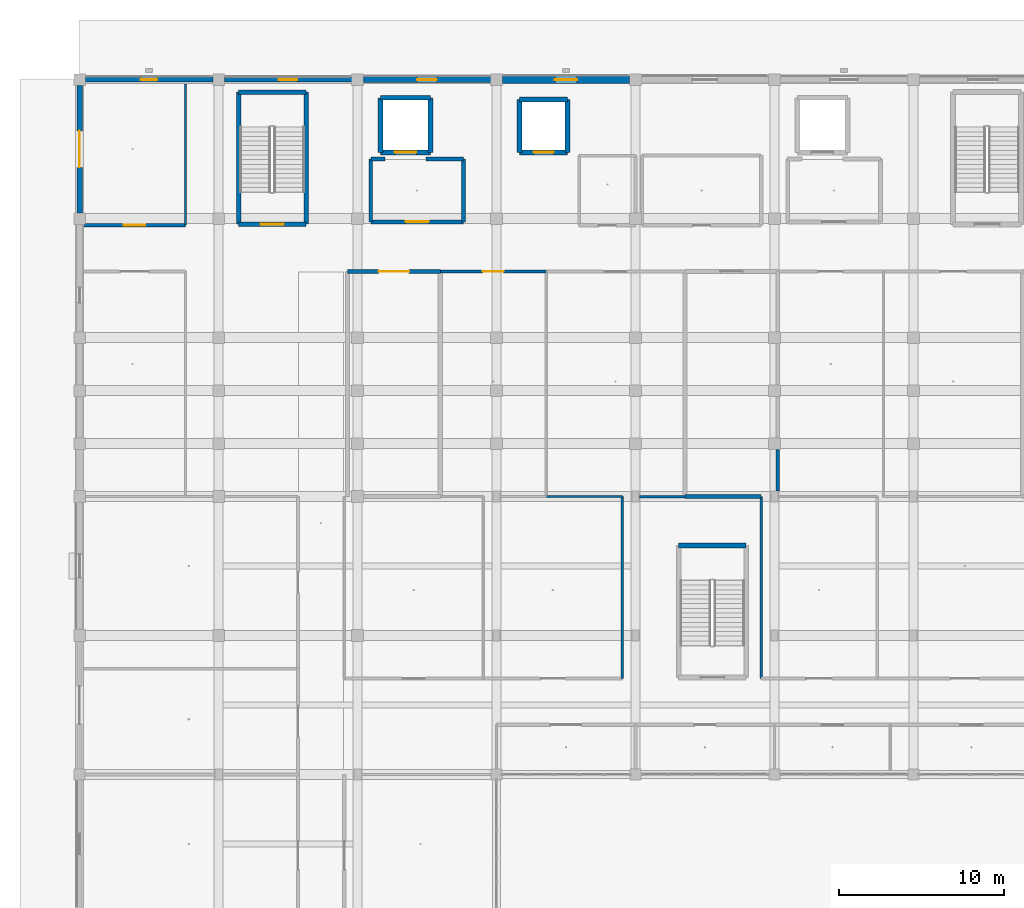
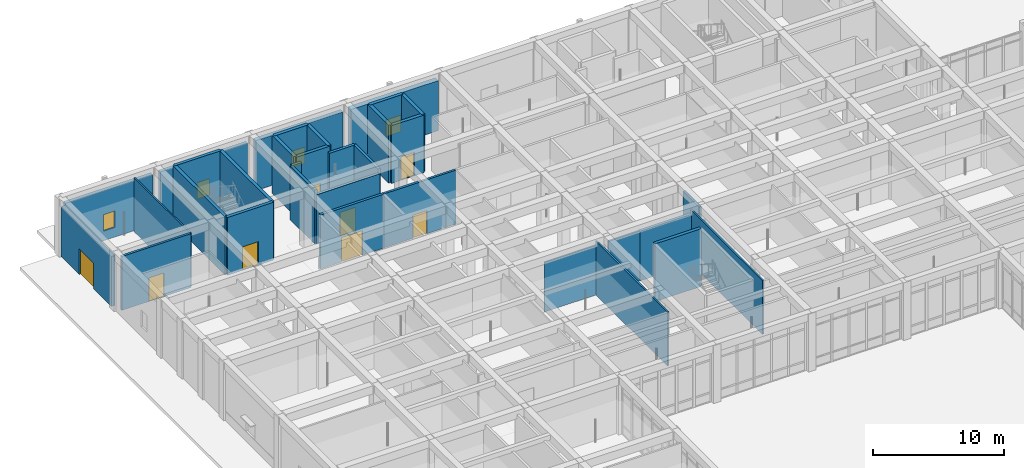
# One storey, part 67 of 167: 33 walls, 8 doors, 4 windows, 12 openings.
"""IFC4 building model written with IfcOpenShell, lengths in metres."""

from ifc_helpers import new_model, si_unit, direction, frame, frame_2d, origin, place, context, subcontext, project, spatial, rectangle, extrude, material, layer, layer_set, type_object, element, fill, save


model = new_model("IFC4")

# Units and contexts
model_context = context("Model", 3, precision=1e-05, world=origin(), true_north=direction((0.0, 1.0)))
body_context = subcontext(model_context, "Body", "Model", "MODEL_VIEW")
ifc_project = project(units=[si_unit("LENGTHUNIT", "METRE"), si_unit("AREAUNIT", "SQUARE_METRE"), si_unit("VOLUMEUNIT", "CUBIC_METRE"), si_unit("PLANEANGLEUNIT", "RADIAN"), si_unit("MASSUNIT", "GRAM", prefix="KILO")], contexts=[model_context])

# Site, building, storey
site_placement = place(None, origin())
site = spatial("IfcSite", under=ifc_project, at=site_placement, CompositionType="ELEMENT")
building_placement = place(site_placement, origin())
building = spatial("IfcBuilding", under=site, at=building_placement, Name="Varncliffe General Hospital", CompositionType="ELEMENT")
storey_placement = place(building_placement, origin())
storey = spatial("IfcBuildingStorey", under=building, at=storey_placement, Name="L00", CompositionType="ELEMENT", Elevation=0.0)

# Wall, opening, window
ifc_material_1 = material(Name="Precast concrete C40/50 with insulated cream lime-cement stucco", Category="concrete")
ifc_layer_1 = layer(ifc_material_1, 0.31005859375)
ifc_layer_set_1 = layer_set([ifc_layer_1], Name="Precast concrete C40/50 with insulated cream lime-cement stucco")
wall_type_1 = type_object("IfcWallType", Name="Exterior Insulated Stucco Wall EW20 (310mm)", PredefinedType="SOLIDWALL", material=ifc_layer_set_1)
wall_1_placement = place(storey_placement, frame((0.347900390625, 124.800048828125, 0.0), z_axis=(0.0, 0.0, 1.0), x_axis=(1.0, 0.0, 0.0)))
wall_1 = element("IfcWall", 1, at=wall_1_placement, inside=storey, type_object=wall_type_1, Name="L00 Exterior Stucco Wall EW20-13", PredefinedType="SOLIDWALL", context=body_context, shape_type="SweptSolid", body=[
    extrude(rectangle(XDim=7.7041015625, YDim=0.31005859375, at=frame_2d((3.85205078125, 0.0))), origin(), (0.0, 0.0, 1.0), 4.679931640625),
])
opening_1_placement = place(wall_1_placement, frame((3.35205078125, 0.0, 0.89990234375)))
opening_1 = element("IfcOpeningElement", 2, at=opening_1_placement, cuts=wall_1, Name="Opening WN21", PredefinedType="OPENING", context=body_context, shape_type="SweptSolid", body=[
    extrude(rectangle(XDim=1.0, YDim=1.550048828125, at=frame_2d((0.5, 0.77490234375))), frame((0.0, 0.1650390625, 0.0), z_axis=(0.0, -1.0, 0.0), x_axis=(1.0, 0.0, 0.0)), (0.0, 0.0, 1.0), 0.330078125),
])
ifc_material_2 = material(Name="Triple low-E argon insulated vision glazing", Category="glass")
window_type_1 = type_object("IfcWindowType", Name="Triple-Glazed Hospital Window WN21 (1000x1550)", PartitioningType="SINGLE_PANEL", PredefinedType="WINDOW", material=ifc_material_2)
window_1_placement = place(opening_1_placement, origin())
window_1 = element("IfcWindow", 3, at=window_1_placement, inside=storey, type_object=window_type_1, Name="L00 Hospital Window WN21-8", OverallHeight=1.550048828125, OverallWidth=1.0, PartitioningType="SINGLE_PANEL", PredefinedType="WINDOW", context=body_context, shape_type="SweptSolid", body=[
    extrude(rectangle(XDim=1.0, YDim=1.550048828125, at=frame_2d((0.5, 0.77490234375))), frame((0.0, 0.030029296875, 0.0), z_axis=(0.0, -1.0, 0.0), x_axis=(1.0, 0.0, 0.0)), (0.0, 0.0, 1.0), 0.06005859375),
])
fill(opening_1, window_1)

ifc_layer_2 = layer(ifc_material_1, 0.3798828125)
ifc_layer_set_2 = layer_set([ifc_layer_2], Name="Precast concrete C40/50 with insulated cream lime-cement stucco")
wall_type_2 = type_object("IfcWallType", Name="Exterior Insulated Stucco Wall EW26 (380mm)", PredefinedType="SOLIDWALL", material=ifc_layer_set_2)
wall_2_placement = place(storey_placement, frame((17.14794921875, 124.800048828125, 0.0), z_axis=(0.0, 0.0, 1.0), x_axis=(1.0, 0.0, 0.0)))
wall_2 = element("IfcWall", 4, at=wall_2_placement, inside=storey, type_object=wall_type_2, Name="L00 Exterior Stucco Wall EW26-15", PredefinedType="SOLIDWALL", context=body_context, shape_type="SweptSolid", body=[
    extrude(rectangle(XDim=7.7041015625, YDim=0.3798828125, at=frame_2d((3.85205078125, 0.0))), origin(), (0.0, 0.0, 1.0), 4.679931640625),
])
opening_2_placement = place(wall_2_placement, frame((3.251953125, 0.0, 0.89990234375)))
opening_2 = element("IfcOpeningElement", 5, at=opening_2_placement, cuts=wall_2, Name="Opening WN33", PredefinedType="OPENING", context=body_context, shape_type="SweptSolid", body=[
    extrude(rectangle(XDim=1.199951171875, YDim=1.550048828125, at=frame_2d((0.60009765625, 0.77490234375))), frame((0.0, 0.199951171875, 0.0), z_axis=(0.0, -1.0, 0.0), x_axis=(1.0, 0.0, 0.0)), (0.0, 0.0, 1.0), 0.39990234375),
])
window_type_2 = type_object("IfcWindowType", Name="Triple-Glazed Hospital Window WN33 (1200x1550)", PartitioningType="SINGLE_PANEL", PredefinedType="WINDOW", material=ifc_material_2)
window_2_placement = place(opening_2_placement, origin())
window_2 = element("IfcWindow", 6, at=window_2_placement, inside=storey, type_object=window_type_2, Name="L00 Hospital Window WN33-10", OverallHeight=1.550048828125, OverallWidth=1.199951171875, PartitioningType="SINGLE_PANEL", PredefinedType="WINDOW", context=body_context, shape_type="SweptSolid", body=[
    extrude(rectangle(XDim=1.199951171875, YDim=1.550048828125, at=frame_2d((0.60009765625, 0.77490234375))), frame((0.0, 0.030029296875, 0.0), z_axis=(0.0, -1.0, 0.0), x_axis=(1.0, 0.0, 0.0)), (0.0, 0.0, 1.0), 0.06005859375),
])
fill(opening_2, window_2)

ifc_layer_3 = layer(ifc_material_1, 0.2900390625)
ifc_layer_set_3 = layer_set([ifc_layer_3], Name="Precast concrete C40/50 with insulated cream lime-cement stucco")
wall_type_3 = type_object("IfcWallType", Name="Exterior Insulated Stucco Wall EW31 (290mm)", PredefinedType="SOLIDWALL", material=ifc_layer_set_3)
wall_3_placement = place(storey_placement, frame((8.748046875, 124.800048828125, 0.0), z_axis=(0.0, 0.0, 1.0), x_axis=(1.0, 0.0, 0.0)))
wall_3 = element("IfcWall", 7, at=wall_3_placement, inside=storey, type_object=wall_type_3, Name="L00 Exterior Stucco Wall EW31-14", PredefinedType="SOLIDWALL", context=body_context, shape_type="SweptSolid", body=[
    extrude(rectangle(XDim=7.703857421875, YDim=0.2900390625, at=frame_2d((3.85205078125, 0.0))), origin(), (0.0, 0.0, 1.0), 4.679931640625),
])
opening_3_placement = place(wall_3_placement, frame((3.302001953125, 0.0, 0.89990234375)))
opening_3 = element("IfcOpeningElement", 8, at=opening_3_placement, cuts=wall_3, Name="Opening WN69", PredefinedType="OPENING", context=body_context, shape_type="SweptSolid", body=[
    extrude(rectangle(XDim=1.10009765625, YDim=1.550048828125, at=frame_2d((0.550048828125, 0.77490234375))), frame((0.0, 0.155029296875, 0.0), z_axis=(0.0, -1.0, 0.0), x_axis=(1.0, 0.0, 0.0)), (0.0, 0.0, 1.0), 0.31005859375),
])
window_type_3 = type_object("IfcWindowType", Name="Triple-Glazed Hospital Window WN69 (1100x1550)", PartitioningType="SINGLE_PANEL", PredefinedType="WINDOW", material=ifc_material_2)
window_3_placement = place(opening_3_placement, origin())
window_3 = element("IfcWindow", 9, at=window_3_placement, inside=storey, type_object=window_type_3, Name="L00 Hospital Window WN69-9", OverallHeight=1.550048828125, OverallWidth=1.10009765625, PartitioningType="SINGLE_PANEL", PredefinedType="WINDOW", context=body_context, shape_type="SweptSolid", body=[
    extrude(rectangle(XDim=1.10009765625, YDim=1.550048828125, at=frame_2d((0.550048828125, 0.77490234375))), frame((0.0, 0.030029296875, 0.0), z_axis=(0.0, -1.0, 0.0), x_axis=(1.0, 0.0, 0.0)), (0.0, 0.0, 1.0), 0.06005859375),
])
fill(opening_3, window_3)

# Wall, opening, door
ifc_layer_4 = layer(ifc_material_1, 0.330078125)
ifc_layer_set_4 = layer_set([ifc_layer_4], Name="Precast concrete C40/50 with insulated cream lime-cement stucco")
wall_type_4 = type_object("IfcWallType", Name="Exterior Insulated Stucco Wall EW33 (330mm)", PredefinedType="SOLIDWALL", material=ifc_layer_set_4)
wall_4_placement = place(storey_placement, frame((0.0, 116.748046875, 0.0), z_axis=(0.0, 0.0, 1.0), x_axis=(0.0, 1.0, 0.0)))
wall_4 = element("IfcWall", 10, at=wall_4_placement, inside=storey, type_object=wall_type_4, Name="L00 Exterior Stucco Wall EW33-12", PredefinedType="SOLIDWALL", context=body_context, shape_type="SweptSolid", body=[
    extrude(rectangle(XDim=7.703857421875, YDim=0.330078125, at=frame_2d((3.85205078125, 0.0))), origin(), (0.0, 0.0, 1.0), 4.679931640625),
])
opening_4_placement = place(wall_4_placement, frame((2.751953125, 0.0, 0.0)))
opening_4 = element("IfcOpeningElement", 11, at=opening_4_placement, cuts=wall_4, Name="Opening DE27", PredefinedType="OPENING", context=body_context, shape_type="SweptSolid", body=[
    extrude(rectangle(XDim=2.199951171875, YDim=2.39990234375, at=frame_2d((1.10009765625, 1.199951171875))), frame((0.0, 0.175048828125, 0.0), z_axis=(0.0, -1.0, 0.0), x_axis=(1.0, 0.0, 0.0)), (0.0, 0.0, 1.0), 0.35009765625),
])
ifc_material_3 = material(Name="Thermally broken bronze-anodized aluminium and safety glass door", Category="aluminium")
door_type_1 = type_object("IfcDoorType", Name="Exterior Pedestrian Door DE27 (2200x2400)", OperationType="NOTDEFINED", PredefinedType="DOOR", material=ifc_material_3)
door_1_placement = place(opening_4_placement, origin())
door_1 = element("IfcDoor", 12, at=door_1_placement, inside=storey, type_object=door_type_1, Name="Main Pedestrian Entrance and Final Exit Door FE-02", OperationType="DOUBLE_DOOR_SINGLE_SWING", OverallHeight=2.39990234375, OverallWidth=2.199951171875, PredefinedType="DOOR", context=body_context, shape_type="SweptSolid", body=[
    extrude(rectangle(XDim=2.199951171875, YDim=2.39990234375, at=frame_2d((1.10009765625, 1.199951171875))), frame((0.0, 0.02490234375, 0.0), z_axis=(0.0, -1.0, 0.0), x_axis=(1.0, 0.0, 0.0)), (0.0, 0.0, 1.0), 0.050048828125),
])
fill(opening_4, door_1)

# Wall, opening, window
ifc_material_4 = material(Name="Concrete C40/50 (CSA A23.1 40 MPa)", Category="concrete")
ifc_layer_5 = layer(ifc_material_4, 0.449951171875)
ifc_layer_set_5 = layer_set([ifc_layer_5], Name="Concrete C40/50 (CSA A23.1 40 MPa)")
wall_type_5 = type_object("IfcWallType", Name="Exterior Insulated Stucco Wall EW36 (450mm)", PredefinedType="SOLIDWALL", material=ifc_layer_set_5)
wall_5_placement = place(storey_placement, frame((25.548095703125, 124.800048828125, 0.0), z_axis=(0.0, 0.0, 1.0), x_axis=(1.0, 0.0, 0.0)))
wall_5 = element("IfcWall", 13, at=wall_5_placement, inside=storey, type_object=wall_type_5, Name="L00 Exterior Stucco Wall EW36-16", PredefinedType="SOLIDWALL", context=body_context, shape_type="SweptSolid", body=[
    extrude(rectangle(XDim=7.703857421875, YDim=0.449951171875, at=frame_2d((3.85205078125, 0.0))), origin(), (0.0, 0.0, 1.0), 4.679931640625),
])
opening_5_placement = place(wall_5_placement, frame((3.177001953125, 0.0, 0.89990234375)))
opening_5 = element("IfcOpeningElement", 14, at=opening_5_placement, cuts=wall_5, Name="Opening WN24", PredefinedType="OPENING", context=body_context, shape_type="SweptSolid", body=[
    extrude(rectangle(XDim=1.35009765625, YDim=1.550048828125, at=frame_2d((0.675048828125, 0.77490234375))), frame((0.0, 0.23486328125, 0.0), z_axis=(0.0, -1.0, 0.0), x_axis=(1.0, 0.0, 0.0)), (0.0, 0.0, 1.0), 0.469970703125),
])
window_type_4 = type_object("IfcWindowType", Name="Triple-Glazed Hospital Window WN24 (1350x1550)", PartitioningType="SINGLE_PANEL", PredefinedType="WINDOW", material=ifc_material_2)
window_4_placement = place(opening_5_placement, origin())
window_4 = element("IfcWindow", 15, at=window_4_placement, inside=storey, type_object=window_type_4, Name="L00 Hospital Window WN24-11", OverallHeight=1.550048828125, OverallWidth=1.35009765625, PartitioningType="SINGLE_PANEL", PredefinedType="WINDOW", context=body_context, shape_type="SweptSolid", body=[
    extrude(rectangle(XDim=1.35009765625, YDim=1.550048828125, at=frame_2d((0.675048828125, 0.77490234375))), frame((0.0, 0.030029296875, 0.0), z_axis=(0.0, -1.0, 0.0), x_axis=(1.0, 0.0, 0.0)), (0.0, 0.0, 1.0), 0.06005859375),
])
fill(opening_5, window_4)

# Walls
ifc_material_5 = material(Name="Acoustic clinical gypsum stud partition assembly", Category="gypsum")
ifc_layer_6 = layer(ifc_material_5, 0.1298828125)
ifc_layer_set_6 = layer_set([ifc_layer_6], Name="Acoustic clinical gypsum stud partition assembly")
wall_type_6 = type_object("IfcWallType", Name="Interior Partitioning IW11 (130mm)", PredefinedType="PARTITIONING", material=ifc_layer_set_6)
wall_6_placement = place(storey_placement, frame((28.199951171875, 99.60009765625, 0.0), z_axis=(0.0, 0.0, 1.0), x_axis=(1.0, 0.0, 0.0)))
element("IfcWall", 16, at=wall_6_placement, inside=storey, type_object=wall_type_6, Name="L00 Interior Partition Wall IW11-183", PredefinedType="PARTITIONING", context=body_context, shape_type="SweptSolid", body=[
    extrude(rectangle(XDim=4.60009765625, YDim=0.1298828125, at=frame_2d((2.300048828125, 0.0))), origin(), (0.0, 0.0, 1.0), 4.635009765625),
])
wall_7_placement = place(storey_placement, frame((6.39990234375, 116.0, 0.0), z_axis=(0.0, 0.0, 1.0), x_axis=(0.0, 1.0, 0.0)))
element("IfcWall", 17, at=wall_7_placement, inside=storey, type_object=wall_type_6, Name="L00 Interior Partition Wall IW11-268", PredefinedType="PARTITIONING", context=body_context, shape_type="SweptSolid", body=[
    extrude(rectangle(XDim=8.5400390625, YDim=0.1298828125, at=frame_2d((4.27001953125, 0.0))), origin(), (0.0, 0.0, 1.0), 5.0400390625),
])
ifc_layer_7 = layer(ifc_material_5, 0.14990234375)
ifc_layer_set_7 = layer_set([ifc_layer_7], Name="Acoustic clinical gypsum stud partition assembly")
wall_type_7 = type_object("IfcWallType", Name="Interior Partitioning IW35 (150mm)", PredefinedType="PARTITIONING", material=ifc_layer_set_7)
wall_8_placement = place(storey_placement, frame((33.840087890625, 99.60009765625, 0.0), z_axis=(0.0, 0.0, 1.0), x_axis=(1.0, 0.0, 0.0)))
element("IfcWall", 18, at=wall_8_placement, inside=storey, type_object=wall_type_7, Name="L00 Interior Partition Wall IW35-184", PredefinedType="PARTITIONING", context=body_context, shape_type="SweptSolid", body=[
    extrude(rectangle(XDim=2.760009765625, YDim=0.14990234375, at=frame_2d((1.3798828125, 0.0))), origin(), (0.0, 0.0, 1.0), 4.635009765625),
])
for number, where, z_axis, x_axis, name in (
    (19, (32.800048828125, 88.60009765625, 0.0), (0.0, 0.0, 1.0), (0.0, 1.0, 0.0), "L00 Interior Partition Wall IW35-294"),
    (20, (41.199951171875, 88.60009765625, 0.0), (0.0, 0.0, 1.0), (0.0, 1.0, 0.0), "L00 Interior Partition Wall IW35-299"),
):
    element("IfcWall", number, at=place(storey_placement, frame(where, z_axis=z_axis, x_axis=x_axis)), inside=storey, type_object=wall_type_7, Name=name, PredefinedType="PARTITIONING", context=body_context, shape_type="SweptSolid", body=[
        extrude(rectangle(XDim=11.0, YDim=0.14990234375, at=frame_2d((5.5, 0.0))), origin(), (0.0, 0.0, 1.0), 5.0400390625),
    ])
ifc_material_6 = material(Name="Fire-rated gypsum and mineral-wool partition assembly", Category="gypsum")
ifc_layer_8 = layer(ifc_material_6, 0.25)
ifc_layer_set_8 = layer_set([ifc_layer_8], Name="Fire-rated gypsum and mineral-wool partition assembly")
wall_type_8 = type_object("IfcWallType", Name="Interior Partitioning PW38 (250mm)", PredefinedType="PARTITIONING", material=ifc_layer_set_8)
wall_9_placement = place(storey_placement, frame((36.60009765625, 99.60009765625, 0.0), z_axis=(0.0, 0.0, 1.0), x_axis=(1.0, 0.0, 0.0)))
element("IfcWall", 21, at=wall_9_placement, inside=storey, type_object=wall_type_8, Name="L00 Interior Partition Wall PW38-185", PredefinedType="PARTITIONING", context=body_context, shape_type="SweptSolid", body=[
    extrude(rectangle(XDim=4.599853515625, YDim=0.25, at=frame_2d((2.2998046875, 0.0))), origin(), (0.0, 0.0, 1.0), 4.635009765625),
])
wall_10_placement = place(storey_placement, frame((20.935791015625, 120.0, 0.0), z_axis=(0.0, 0.0, 1.0), x_axis=(1.0, 0.0, 0.0)))
element("IfcWall", 22, at=wall_10_placement, inside=storey, type_object=wall_type_8, Name="L00 Interior Partition Wall PW38-257", PredefinedType="PARTITIONING", context=body_context, shape_type="SweptSolid", body=[
    extrude(rectangle(XDim=2.26416015625, YDim=0.25, at=frame_2d((1.132080078125, 0.0))), origin(), (0.0, 0.0, 1.0), 5.0400390625),
])
wall_11_placement = place(storey_placement, frame((17.60009765625, 120.0, 0.0), z_axis=(0.0, 0.0, 1.0), x_axis=(1.0, 0.0, 0.0)))
element("IfcWall", 23, at=wall_11_placement, inside=storey, type_object=wall_type_8, Name="L00 Interior Partition Wall PW38-258", PredefinedType="PARTITIONING", context=body_context, shape_type="SweptSolid", body=[
    extrude(rectangle(XDim=0.864013671875, YDim=0.25, at=frame_2d((0.43212890625, 0.0))), origin(), (0.0, 0.0, 1.0), 5.0400390625),
])

# Wall, opening, door
ifc_layer_9 = layer(ifc_material_6, 0.22998046875)
ifc_layer_set_9 = layer_set([ifc_layer_9], Name="Fire-rated gypsum and mineral-wool partition assembly")
wall_type_9 = type_object("IfcWallType", Name="Interior Partitioning PW48 (230mm)", PredefinedType="PARTITIONING", material=ifc_layer_set_9)
wall_12_placement = place(storey_placement, frame((16.199951171875, 113.199951171875, 0.0), z_axis=(0.0, 0.0, 1.0), x_axis=(1.0, 0.0, 0.0)))
wall_12 = element("IfcWall", 24, at=wall_12_placement, inside=storey, type_object=wall_type_9, Name="L00 Interior Partition Wall PW48-228", PredefinedType="PARTITIONING", context=body_context, shape_type="SweptSolid", body=[
    extrude(rectangle(XDim=5.60009765625, YDim=0.22998046875, at=frame_2d((2.800048828125, 0.0))), origin(), (0.0, 0.0, 1.0), 5.0400390625),
])
opening_6_placement = place(wall_12_placement, frame((1.875, 0.0, 0.0)))
opening_6 = element("IfcOpeningElement", 25, at=opening_6_placement, cuts=wall_12, Name="Opening DC38", PredefinedType="OPENING", context=body_context, shape_type="SweptSolid", body=[
    extrude(rectangle(XDim=1.85009765625, YDim=2.300048828125, at=frame_2d((0.925048828125, 1.14990234375))), frame((0.0, 0.125, 0.0), z_axis=(0.0, -1.0, 0.0), x_axis=(1.0, 0.0, 0.0)), (0.0, 0.0, 1.0), 0.25),
])
ifc_material_7 = material(Name="Fire-rated hospital steel-frame vision-panel door", Category="steel")
door_type_2 = type_object("IfcDoorType", Name="Interior Hospital Door DC38 (1850x2300)", OperationType="NOTDEFINED", PredefinedType="DOOR", material=ifc_material_7)
door_2_placement = place(opening_6_placement, frame((1.85009765625, 0.0, 0.0), z_axis=(0.0, 0.0, 1.0), x_axis=(-1.0, 0.0, 0.0)))
door_2 = element("IfcDoor", 26, at=door_2_placement, inside=storey, type_object=door_type_2, Name="L00 Ground Ward Clean Utility Store 115 Door", OperationType="SINGLE_SWING_RIGHT", OverallHeight=2.300048828125, OverallWidth=1.85009765625, PredefinedType="DOOR", context=body_context, shape_type="SweptSolid", body=[
    extrude(rectangle(XDim=1.85009765625, YDim=2.300048828125, at=frame_2d((0.925048828125, 1.14990234375))), frame((0.0, 0.02490234375, 0.0), z_axis=(0.0, -1.0, 0.0), x_axis=(1.0, 0.0, 0.0)), (0.0, 0.0, 1.0), 0.050048828125),
])
fill(opening_6, door_2)

wall_13_placement = place(storey_placement, frame((17.60009765625, 116.199951171875, 0.0), z_axis=(0.0, 0.0, 1.0), x_axis=(1.0, 0.0, 0.0)))
wall_13 = element("IfcWall", 27, at=wall_13_placement, inside=storey, type_object=wall_type_9, Name="L00 Interior Partition Wall PW48-254", PredefinedType="PARTITIONING", context=body_context, shape_type="SweptSolid", body=[
    extrude(rectangle(XDim=5.599853515625, YDim=0.22998046875, at=frame_2d((2.7998046875, 0.0))), origin(), (0.0, 0.0, 1.0), 4.635009765625),
])
opening_7_placement = place(wall_13_placement, frame((2.10009765625, 0.0, 0.0)))
opening_7 = element("IfcOpeningElement", 28, at=opening_7_placement, cuts=wall_13, Name="Opening DF81", PredefinedType="OPENING", context=body_context, shape_type="SweptSolid", body=[
    extrude(rectangle(XDim=1.39990234375, YDim=2.199951171875, at=frame_2d((0.699951171875, 1.10009765625))), frame((0.0, 0.125, 0.0), z_axis=(0.0, -1.0, 0.0), x_axis=(1.0, 0.0, 0.0)), (0.0, 0.0, 1.0), 0.25),
])
door_type_3 = type_object("IfcDoorType", Name="Interior Hospital Door DF81 (1400x2200)", OperationType="NOTDEFINED", PredefinedType="DOOR", material=ifc_material_7)
door_3_placement = place(opening_7_placement, origin())
door_3 = element("IfcDoor", 29, at=door_3_placement, inside=storey, type_object=door_type_3, Name="L00 Firefighting Lift Lobby LF01 Door", OperationType="SINGLE_SWING_RIGHT", OverallHeight=2.199951171875, OverallWidth=1.39990234375, PredefinedType="DOOR", context=body_context, shape_type="SweptSolid", body=[
    extrude(rectangle(XDim=1.39990234375, YDim=2.199951171875, at=frame_2d((0.699951171875, 1.10009765625))), frame((0.0, 0.02490234375, 0.0), z_axis=(0.0, -1.0, 0.0), x_axis=(1.0, 0.0, 0.0)), (0.0, 0.0, 1.0), 0.050048828125),
])
fill(opening_7, door_3)

# Walls
for number, where, z_axis, x_axis, name in (
    (30, (17.60009765625, 116.199951171875, 0.0), (0.0, 0.0, 1.0), (0.0, 1.0, 0.0), "L00 Interior Partition Wall PW48-284"),
    (31, (23.199951171875, 116.199951171875, 0.0), (0.0, 0.0, 1.0), (0.0, 1.0, 0.0), "L00 Interior Partition Wall PW48-286"),
):
    element("IfcWall", number, at=place(storey_placement, frame(where, z_axis=z_axis, x_axis=x_axis)), inside=storey, type_object=wall_type_9, Name=name, PredefinedType="PARTITIONING", context=body_context, shape_type="SweptSolid", body=[
        extrude(rectangle(XDim=3.800048828125, YDim=0.22998046875, at=frame_2d((1.89990234375, 0.0))), origin(), (0.0, 0.0, 1.0), 5.0400390625),
    ])
wall_14_placement = place(storey_placement, frame((42.199951171875, 99.93994140625, 0.0), z_axis=(0.0, 0.0, 1.0), x_axis=(0.0, 1.0, 0.0)))
element("IfcWall", 32, at=wall_14_placement, inside=storey, type_object=wall_type_9, Name="L00 Interior Partition Wall PW48-305", PredefinedType="PARTITIONING", context=body_context, shape_type="SweptSolid", body=[
    extrude(rectangle(XDim=2.4951171875, YDim=0.22998046875, at=frame_2d((1.24755859375, 0.0))), origin(), (0.0, 0.0, 1.0), 4.68505859375),
])

# Wall, opening, door
ifc_layer_10 = layer(ifc_material_6, 0.199951171875)
ifc_layer_set_10 = layer_set([ifc_layer_10], Name="Fire-rated gypsum and mineral-wool partition assembly")
wall_type_10 = type_object("IfcWallType", Name="Interior Partitioning PW63 (200mm)", PredefinedType="PARTITIONING", material=ifc_layer_set_10)
wall_15_placement = place(storey_placement, frame((21.800048828125, 113.199951171875, 0.0), z_axis=(0.0, 0.0, 1.0), x_axis=(1.0, 0.0, 0.0)))
wall_15 = element("IfcWall", 33, at=wall_15_placement, inside=storey, type_object=wall_type_10, Name="L00 Interior Partition Wall PW63-229", PredefinedType="PARTITIONING", context=body_context, shape_type="SweptSolid", body=[
    extrude(rectangle(XDim=6.39990234375, YDim=0.199951171875, at=frame_2d((3.199951171875, 0.0))), origin(), (0.0, 0.0, 1.0), 5.0400390625),
])
opening_8_placement = place(wall_15_placement, frame((2.574951171875, 0.0, 0.0)))
opening_8 = element("IfcOpeningElement", 34, at=opening_8_placement, cuts=wall_15, Name="Opening DC44", PredefinedType="OPENING", context=body_context, shape_type="SweptSolid", body=[
    extrude(rectangle(XDim=1.25, YDim=2.14990234375, at=frame_2d((0.625, 1.074951171875))), frame((0.0, 0.10986328125, 0.0), z_axis=(0.0, -1.0, 0.0), x_axis=(1.0, 0.0, 0.0)), (0.0, 0.0, 1.0), 0.219970703125),
])
door_type_4 = type_object("IfcDoorType", Name="Interior Hospital Door DC44 (1250x2150)", OperationType="NOTDEFINED", PredefinedType="DOOR", material=ifc_material_7)
door_4_placement = place(opening_8_placement, frame((1.25, 0.0, 0.0), z_axis=(0.0, 0.0, 1.0), x_axis=(-1.0, 0.0, 0.0)))
door_4 = element("IfcDoor", 35, at=door_4_placement, inside=storey, type_object=door_type_4, Name="L00 Outpatient Phlebotomy and Pre-Admission Clinic 116 Door", OperationType="SINGLE_SWING_LEFT", OverallHeight=2.14990234375, OverallWidth=1.25, PredefinedType="DOOR", context=body_context, shape_type="SweptSolid", body=[
    extrude(rectangle(XDim=1.25, YDim=2.14990234375, at=frame_2d((0.625, 1.074951171875))), frame((0.0, 0.02490234375, 0.0), z_axis=(0.0, -1.0, 0.0), x_axis=(1.0, 0.0, 0.0)), (0.0, 0.0, 1.0), 0.050048828125),
])
fill(opening_8, door_4)

wall_16_placement = place(storey_placement, frame((0.260009765625, 116.0, 0.0), z_axis=(0.0, 0.0, 1.0), x_axis=(1.0, 0.0, 0.0)))
wall_16 = element("IfcWall", 36, at=wall_16_placement, inside=storey, type_object=wall_type_10, Name="L00 Interior Partition Wall PW63-244", PredefinedType="PARTITIONING", context=body_context, shape_type="SweptSolid", body=[
    extrude(rectangle(XDim=6.139892578125, YDim=0.199951171875, at=frame_2d((3.06982421875, 0.0))), origin(), (0.0, 0.0, 1.0), 5.0400390625),
])
opening_9_placement = place(wall_16_placement, frame((2.419921875, 0.0, 0.0)))
opening_9 = element("IfcOpeningElement", 37, at=opening_9_placement, cuts=wall_16, Name="Opening DC88", PredefinedType="OPENING", context=body_context, shape_type="SweptSolid", body=[
    extrude(rectangle(XDim=1.300048828125, YDim=2.199951171875, at=frame_2d((0.64990234375, 1.10009765625))), frame((0.0, 0.10986328125, 0.0), z_axis=(0.0, -1.0, 0.0), x_axis=(1.0, 0.0, 0.0)), (0.0, 0.0, 1.0), 0.219970703125),
])
door_type_5 = type_object("IfcDoorType", Name="Interior Hospital Door DC88 (1300x2200)", OperationType="NOTDEFINED", PredefinedType="DOOR", material=ifc_material_7)
door_5_placement = place(opening_9_placement, origin())
door_5 = element("IfcDoor", 38, at=door_5_placement, inside=storey, type_object=door_type_5, Name="L00 Outpatient Phlebotomy and Pre-Admission Clinic 131 Door", OperationType="SINGLE_SWING_RIGHT", OverallHeight=2.199951171875, OverallWidth=1.300048828125, PredefinedType="DOOR", context=body_context, shape_type="SweptSolid", body=[
    extrude(rectangle(XDim=1.300048828125, YDim=2.199951171875, at=frame_2d((0.64990234375, 1.10009765625))), frame((0.0, 0.02490234375, 0.0), z_axis=(0.0, -1.0, 0.0), x_axis=(1.0, 0.0, 0.0)), (0.0, 0.0, 1.0), 0.050048828125),
])
fill(opening_9, door_5)

ifc_layer_11 = layer(ifc_material_4, 0.300048828125)
ifc_layer_set_11 = layer_set([ifc_layer_11], Name="Concrete C40/50 (CSA A23.1 40 MPa)")
wall_type_11 = type_object("IfcWallType", Name="Reinforced Concrete Core Shear Wall CW12 (300mm)", PredefinedType="SHEAR", material=ifc_layer_set_11)
wall_17_placement = place(storey_placement, frame((18.199951171875, 120.39990234375, 0.0), z_axis=(0.0, 0.0, 1.0), x_axis=(1.0, 0.0, 0.0)))
wall_17 = element("IfcWall", 39, at=wall_17_placement, inside=storey, type_object=wall_type_11, Name="L00 LF01 Elevator Shaft Wall South", PredefinedType="SHEAR", context=body_context, shape_type="SweptSolid", body=[
    extrude(rectangle(XDim=3.0, YDim=0.300048828125, at=frame_2d((1.5, 0.0))), origin(), (0.0, 0.0, 1.0), 5.39990234375),
])
opening_10_placement = place(wall_17_placement, frame((0.85009765625, 0.0, 0.0)))
opening_10 = element("IfcOpeningElement", 40, at=opening_10_placement, cuts=wall_17, Name="Opening LD02", PredefinedType="OPENING", context=body_context, shape_type="SweptSolid", body=[
    extrude(rectangle(XDim=1.300048828125, YDim=2.199951171875, at=frame_2d((0.64990234375, 1.10009765625))), frame((0.0, 0.16015625, 0.0), z_axis=(0.0, -1.0, 0.0), x_axis=(1.0, 0.0, 0.0)), (0.0, 0.0, 1.0), 0.320068359375),
])
ifc_material_8 = material(Name="Brushed stainless-steel sliding elevator landing door", Category="steel")
door_type_6 = type_object("IfcDoorType", Name="Lift Landing Door LD02 (1300x2200)", OperationType="DOUBLE_DOOR_SLIDING", PredefinedType="DOOR", material=ifc_material_8)
door_6_placement = place(opening_10_placement, origin())
door_6 = element("IfcDoor", 41, at=door_6_placement, inside=storey, type_object=door_type_6, Name="Lift Landing Door LF01 L00", OperationType="DOUBLE_DOOR_SLIDING", OverallHeight=2.199951171875, OverallWidth=1.300048828125, PredefinedType="DOOR", context=body_context, shape_type="SweptSolid", body=[
    extrude(rectangle(XDim=1.300048828125, YDim=2.199951171875, at=frame_2d((0.64990234375, 1.10009765625))), frame((0.0, 0.02490234375, 0.0), z_axis=(0.0, -1.0, 0.0), x_axis=(1.0, 0.0, 0.0)), (0.0, 0.0, 1.0), 0.050048828125),
])
fill(opening_10, door_6)

# Walls
wall_18_placement = place(storey_placement, frame((21.199951171875, 120.39990234375, 0.0), z_axis=(0.0, 0.0, 1.0), x_axis=(0.0, 1.0, 0.0)))
element("IfcWall", 42, at=wall_18_placement, inside=storey, type_object=wall_type_11, Name="L00 LF01 Elevator Shaft Wall East", PredefinedType="SHEAR", context=body_context, shape_type="SweptSolid", body=[
    extrude(rectangle(XDim=3.300048828125, YDim=0.300048828125, at=frame_2d((1.64990234375, 0.0))), origin(), (0.0, 0.0, 1.0), 5.39990234375),
])
wall_19_placement = place(storey_placement, frame((21.199951171875, 123.699951171875, 0.0), z_axis=(0.0, 0.0, 1.0), x_axis=(-1.0, 0.0, 0.0)))
element("IfcWall", 43, at=wall_19_placement, inside=storey, type_object=wall_type_11, Name="L00 LF01 Elevator Shaft Wall North", PredefinedType="SHEAR", context=body_context, shape_type="SweptSolid", body=[
    extrude(rectangle(XDim=3.0, YDim=0.300048828125, at=frame_2d((1.5, 0.0))), origin(), (0.0, 0.0, 1.0), 5.39990234375),
])
wall_20_placement = place(storey_placement, frame((18.199951171875, 123.699951171875, 0.0), z_axis=(0.0, 0.0, 1.0), x_axis=(0.0, -1.0, 0.0)))
element("IfcWall", 44, at=wall_20_placement, inside=storey, type_object=wall_type_11, Name="L00 LF01 Elevator Shaft Wall West", PredefinedType="SHEAR", context=body_context, shape_type="SweptSolid", body=[
    extrude(rectangle(XDim=3.300048828125, YDim=0.300048828125, at=frame_2d((1.64990234375, 0.0))), origin(), (0.0, 0.0, 1.0), 5.39990234375),
])

# Wall, opening, door
wall_21_placement = place(storey_placement, frame((26.60009765625, 120.39990234375, 0.0), z_axis=(0.0, 0.0, 1.0), x_axis=(1.0, 0.0, 0.0)))
wall_21 = element("IfcWall", 45, at=wall_21_placement, inside=storey, type_object=wall_type_11, Name="L00 LF04 Elevator Shaft Wall South", PredefinedType="SHEAR", context=body_context, shape_type="SweptSolid", body=[
    extrude(rectangle(XDim=2.89990234375, YDim=0.300048828125, at=frame_2d((1.449951171875, 0.0))), origin(), (0.0, 0.0, 1.0), 5.39990234375),
])
opening_11_placement = place(wall_21_placement, frame((0.85009765625, 0.0, 0.0)))
opening_11 = element("IfcOpeningElement", 46, at=opening_11_placement, cuts=wall_21, Name="Opening LD01", PredefinedType="OPENING", context=body_context, shape_type="SweptSolid", body=[
    extrude(rectangle(XDim=1.199951171875, YDim=2.199951171875, at=frame_2d((0.60009765625, 1.10009765625))), frame((0.0, 0.16015625, 0.0), z_axis=(0.0, -1.0, 0.0), x_axis=(1.0, 0.0, 0.0)), (0.0, 0.0, 1.0), 0.320068359375),
])
door_type_7 = type_object("IfcDoorType", Name="Lift Landing Door LD01 (1200x2200)", OperationType="DOUBLE_DOOR_SLIDING", PredefinedType="DOOR", material=ifc_material_8)
door_7_placement = place(opening_11_placement, origin())
door_7 = element("IfcDoor", 47, at=door_7_placement, inside=storey, type_object=door_type_7, Name="Lift Landing Door LF04 L00", OperationType="DOUBLE_DOOR_SLIDING", OverallHeight=2.199951171875, OverallWidth=1.199951171875, PredefinedType="DOOR", context=body_context, shape_type="SweptSolid", body=[
    extrude(rectangle(XDim=1.199951171875, YDim=2.199951171875, at=frame_2d((0.60009765625, 1.10009765625))), frame((0.0, 0.02490234375, 0.0), z_axis=(0.0, -1.0, 0.0), x_axis=(1.0, 0.0, 0.0)), (0.0, 0.0, 1.0), 0.050048828125),
])
fill(opening_11, door_7)

# Walls
wall_22_placement = place(storey_placement, frame((29.5, 120.39990234375, 0.0), z_axis=(0.0, 0.0, 1.0), x_axis=(0.0, 1.0, 0.0)))
element("IfcWall", 48, at=wall_22_placement, inside=storey, type_object=wall_type_11, Name="L00 LF04 Elevator Shaft Wall East", PredefinedType="SHEAR", context=body_context, shape_type="SweptSolid", body=[
    extrude(rectangle(XDim=3.2001953125, YDim=0.300048828125, at=frame_2d((1.60009765625, 0.0))), origin(), (0.0, 0.0, 1.0), 5.39990234375),
])
wall_23_placement = place(storey_placement, frame((29.5, 123.60009765625, 0.0), z_axis=(0.0, 0.0, 1.0), x_axis=(-1.0, 0.0, 0.0)))
element("IfcWall", 49, at=wall_23_placement, inside=storey, type_object=wall_type_11, Name="L00 LF04 Elevator Shaft Wall North", PredefinedType="SHEAR", context=body_context, shape_type="SweptSolid", body=[
    extrude(rectangle(XDim=2.89990234375, YDim=0.300048828125, at=frame_2d((1.449951171875, 0.0))), origin(), (0.0, 0.0, 1.0), 5.39990234375),
])
wall_24_placement = place(storey_placement, frame((26.60009765625, 123.60009765625, 0.0), z_axis=(0.0, 0.0, 1.0), x_axis=(0.0, -1.0, 0.0)))
element("IfcWall", 50, at=wall_24_placement, inside=storey, type_object=wall_type_11, Name="L00 LF04 Elevator Shaft Wall West", PredefinedType="SHEAR", context=body_context, shape_type="SweptSolid", body=[
    extrude(rectangle(XDim=3.2001953125, YDim=0.300048828125, at=frame_2d((1.60009765625, 0.0))), origin(), (0.0, 0.0, 1.0), 5.39990234375),
])
ifc_layer_12 = layer(ifc_material_4, 0.280029296875)
ifc_layer_set_12 = layer_set([ifc_layer_12], Name="Concrete C40/50 (CSA A23.1 40 MPa)")
wall_type_12 = type_object("IfcWallType", Name="Reinforced Concrete Core Shear Wall CW13 (280mm)", PredefinedType="SHEAR", material=ifc_layer_set_12)
wall_25_placement = place(storey_placement, frame((13.68994140625, 116.06005859375, 0.0), z_axis=(0.0, 0.0, 1.0), x_axis=(0.0, 1.0, 0.0)))
element("IfcWall", 51, at=wall_25_placement, inside=storey, type_object=wall_type_12, Name="L00 ST01 Core Shear Wall L", PredefinedType="SHEAR", context=body_context, shape_type="SweptSolid", body=[
    extrude(rectangle(XDim=7.97998046875, YDim=0.280029296875, at=frame_2d((3.989990234375, 0.0))), origin(), (0.0, 0.0, 1.0), 5.39990234375),
])
wall_26_placement = place(storey_placement, frame((13.68994140625, 124.0400390625, 0.0), z_axis=(0.0, 0.0, 1.0), x_axis=(-1.0, 0.0, 0.0)))
element("IfcWall", 52, at=wall_26_placement, inside=storey, type_object=wall_type_12, Name="L00 ST01 Core Shear Wall F", PredefinedType="SHEAR", context=body_context, shape_type="SweptSolid", body=[
    extrude(rectangle(XDim=4.079833984375, YDim=0.280029296875, at=frame_2d((2.0400390625, 0.0))), origin(), (0.0, 0.0, 1.0), 5.39990234375),
])
wall_27_placement = place(storey_placement, frame((9.610107421875, 124.0400390625, 0.0), z_axis=(0.0, 0.0, 1.0), x_axis=(0.0, -1.0, 0.0)))
element("IfcWall", 53, at=wall_27_placement, inside=storey, type_object=wall_type_12, Name="L00 ST01 Core Shear Wall R", PredefinedType="SHEAR", context=body_context, shape_type="SweptSolid", body=[
    extrude(rectangle(XDim=7.97998046875, YDim=0.280029296875, at=frame_2d((3.989990234375, 0.0))), origin(), (0.0, 0.0, 1.0), 5.39990234375),
])

# Wall, opening, door
wall_28_placement = place(storey_placement, frame((9.610107421875, 116.06005859375, 0.0), z_axis=(0.0, 0.0, 1.0), x_axis=(1.0, 0.0, 0.0)))
wall_28 = element("IfcWall", 54, at=wall_28_placement, inside=storey, type_object=wall_type_12, Name="L00 ST01 Core Shear Wall N", PredefinedType="SHEAR", context=body_context, shape_type="SweptSolid", body=[
    extrude(rectangle(XDim=4.079833984375, YDim=0.280029296875, at=frame_2d((2.0400390625, 0.0))), origin(), (0.0, 0.0, 1.0), 5.39990234375),
])
opening_12_placement = place(wall_28_placement, frame((1.340087890625, 0.0, 0.0)))
opening_12 = element("IfcOpeningElement", 55, at=opening_12_placement, cuts=wall_28, Name="Opening DF81", PredefinedType="OPENING", context=body_context, shape_type="SweptSolid", body=[
    extrude(rectangle(XDim=1.39990234375, YDim=2.199951171875, at=frame_2d((0.699951171875, 1.10009765625))), frame((0.0, 0.14990234375, 0.0), z_axis=(0.0, -1.0, 0.0), x_axis=(1.0, 0.0, 0.0)), (0.0, 0.0, 1.0), 0.300048828125),
])
door_8_placement = place(opening_12_placement, origin())
door_8 = element("IfcDoor", 56, at=door_8_placement, inside=storey, type_object=door_type_3, Name="L00 ST01 Protected Exit Stair Door", OperationType="SINGLE_SWING_RIGHT", OverallHeight=2.199951171875, OverallWidth=1.39990234375, PredefinedType="DOOR", context=body_context, shape_type="SweptSolid", body=[
    extrude(rectangle(XDim=1.39990234375, YDim=2.199951171875, at=frame_2d((0.699951171875, 1.10009765625))), frame((0.0, 0.02490234375, 0.0), z_axis=(0.0, -1.0, 0.0), x_axis=(1.0, 0.0, 0.0)), (0.0, 0.0, 1.0), 0.050048828125),
])
fill(opening_12, door_8)

# Wall
wall_29_placement = place(storey_placement, frame((40.2900390625, 96.639892578125, 0.0), z_axis=(0.0, 0.0, 1.0), x_axis=(-1.0, 0.0, 0.0)))
element("IfcWall", 57, at=wall_29_placement, inside=storey, type_object=wall_type_12, Name="L00 ST13 Core Shear Wall F", PredefinedType="SHEAR", context=body_context, shape_type="SweptSolid", body=[
    extrude(rectangle(XDim=4.080078125, YDim=0.280029296875, at=frame_2d((2.0400390625, 0.0))), origin(), (0.0, 0.0, 1.0), 5.39990234375),
])

save(model, "model.ifc")
